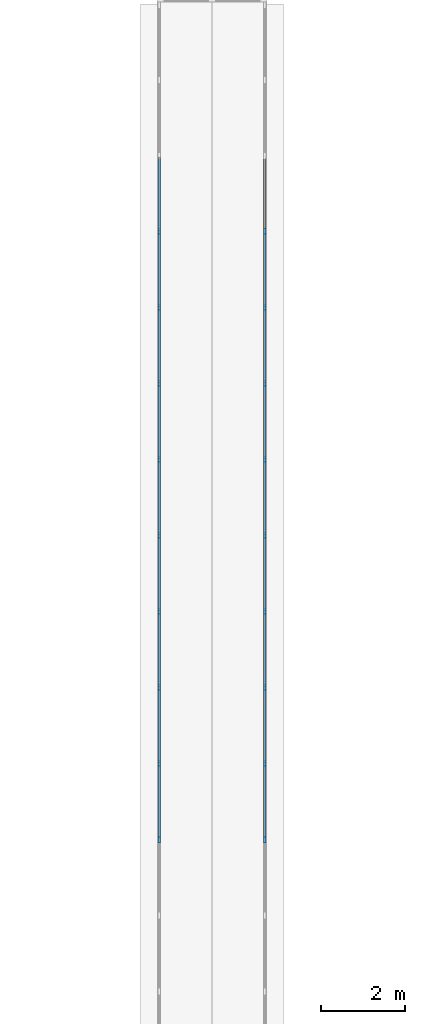
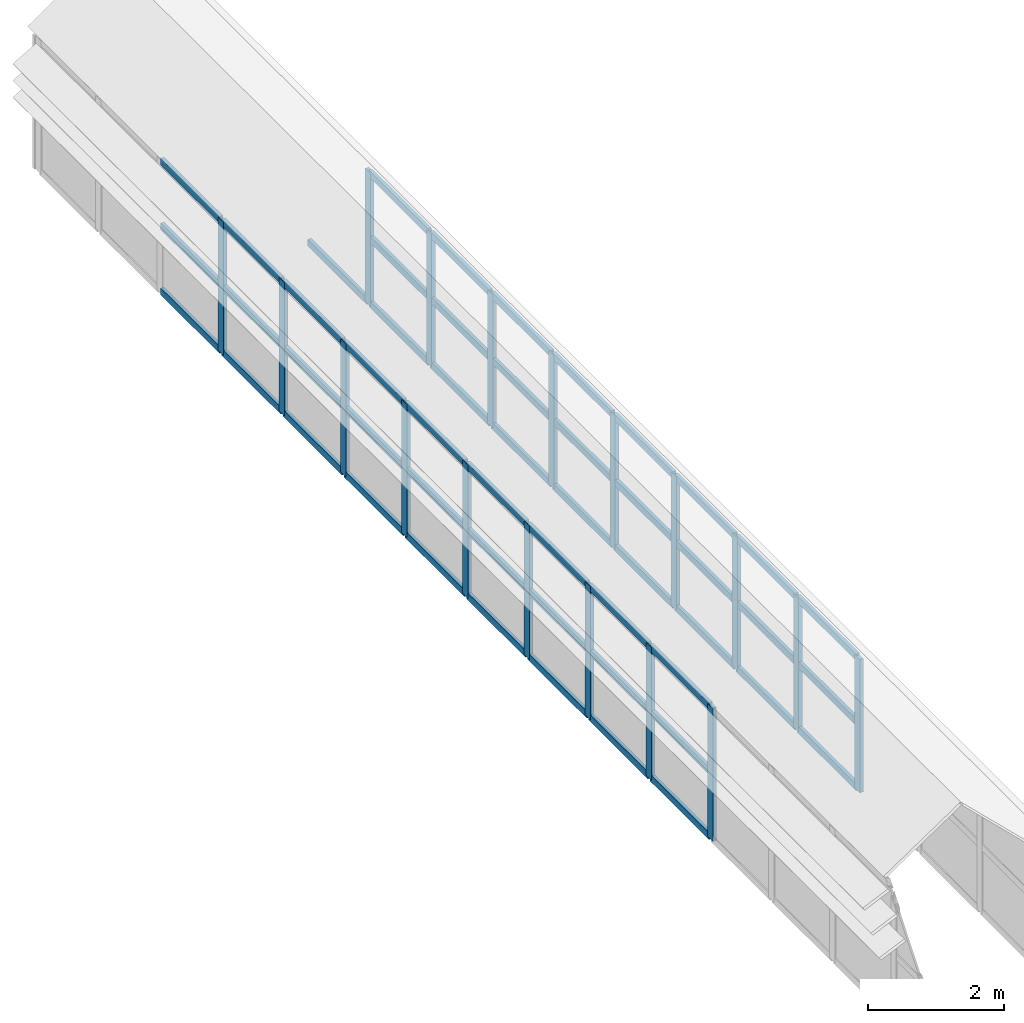
# One storey, part 7 of 28: 70 members, 2 elements without a shape of their own.
"""IFC4 building model written with IfcOpenShell, lengths in metres."""

from ifc_helpers import new_model, si_unit, direction, frame, origin, origin_2d, place, context, subcontext, project, spatial, rectangle, extrude, material, layer, layer_set, material_profile, profile_set, type_object, element, aggregate, save


model = new_model("IFC4")

# Units and contexts
model_context = context("Model", 3, precision=1e-05, world=origin(), true_north=direction((0.0, 1.0)))
body_context = subcontext(model_context, "Body", "Model", "MODEL_VIEW")
ifc_project = project(units=[si_unit("LENGTHUNIT", "METRE"), si_unit("AREAUNIT", "SQUARE_METRE"), si_unit("VOLUMEUNIT", "CUBIC_METRE"), si_unit("PLANEANGLEUNIT", "RADIAN"), si_unit("MASSUNIT", "GRAM", prefix="KILO")], contexts=[model_context])

# Site, building, storey
site_placement = place(None, origin())
site = spatial("IfcSite", under=ifc_project, at=site_placement, CompositionType="ELEMENT")
building_placement = place(site_placement, origin())
building = spatial("IfcBuilding", under=site, at=building_placement, Name="Mazhai Court Health Centre", CompositionType="ELEMENT")
storey_placement = place(building_placement, frame((0.0, 0.0, 18.0)))
storey = spatial("IfcBuildingStorey", under=building, at=storey_placement, Name="RF", CompositionType="ELEMENT", Elevation=18.0)

# Curtain wall, members
ifc_material_1 = material(Name="Teak timber frame, glazed", Category="wood")
ifc_layer = layer(ifc_material_1, 0.10009765625)
ifc_layer_set = layer_set([ifc_layer], Name="CURTAIN WALL TIMBER 1800")
curtain_wall_type = type_object("IfcCurtainWallType", Name="CURTAIN WALL TIMBER 1800", PredefinedType="NOTDEFINED", material=ifc_layer_set)
curtain_wall_1_placement = place(storey_placement, origin())
curtain_wall_1 = element("IfcCurtainWall", 1, at=curtain_wall_1_placement, inside=storey, type_object=curtain_wall_type, Name="CW-V1-LSW", PredefinedType="NOTDEFINED")
ifc_material_2 = material(Name="Teak timber", Category="wood")
ifc_material_profile_1 = material_profile(ifc_material_2, rectangle(XDim=0.06005859375, YDim=0.159912109375, at=origin_2d()), Name="CW MULLION 60x160")
ifc_profile_set_1 = profile_set([ifc_material_profile_1], Name="Teak timber")
member_type_1 = type_object("IfcMemberType", Name="CW MULLION 60x160", PredefinedType="MULLION", material=ifc_profile_set_1)
member_1_placement = place(storey_placement, frame((51.75, 38.39990234375, 0.783935546875), z_axis=(0.0, 0.0, 1.0), x_axis=(-1.0, 0.0, 0.0)))
member_1 = element("IfcMember", 2, at=member_1_placement, type_object=member_type_1, Name="CW mullion 16", PredefinedType="MULLION", context=body_context, shape_type="SweptSolid", body=[
    extrude(rectangle(XDim=0.06005859375, YDim=0.159912109375, at=origin_2d()), origin(), (0.0, 0.0, 1.0), 2.39501953125),
])
member_2_placement = place(storey_placement, frame((51.75, 40.199951171875, 0.783935546875), z_axis=(0.0, 0.0, 1.0), x_axis=(-1.0, 0.0, 0.0)))
member_2 = element("IfcMember", 3, at=member_2_placement, type_object=member_type_1, Name="CW mullion 17", PredefinedType="MULLION", context=body_context, shape_type="SweptSolid", body=[
    extrude(rectangle(XDim=0.06005859375, YDim=0.159912109375, at=origin_2d()), origin(), (0.0, 0.0, 1.0), 2.39501953125),
])
member_3_placement = place(storey_placement, frame((51.75, 42.0, 0.783935546875), z_axis=(0.0, 0.0, 1.0), x_axis=(-1.0, 0.0, 0.0)))
member_3 = element("IfcMember", 4, at=member_3_placement, type_object=member_type_1, Name="CW mullion 18", PredefinedType="MULLION", context=body_context, shape_type="SweptSolid", body=[
    extrude(rectangle(XDim=0.06005859375, YDim=0.159912109375, at=origin_2d()), origin(), (0.0, 0.0, 1.0), 2.39501953125),
])
member_4_placement = place(storey_placement, frame((51.75, 43.800048828125, 0.783935546875), z_axis=(0.0, 0.0, 1.0), x_axis=(-1.0, 0.0, 0.0)))
member_4 = element("IfcMember", 5, at=member_4_placement, type_object=member_type_1, Name="CW mullion 19", PredefinedType="MULLION", context=body_context, shape_type="SweptSolid", body=[
    extrude(rectangle(XDim=0.06005859375, YDim=0.159912109375, at=origin_2d()), origin(), (0.0, 0.0, 1.0), 2.39501953125),
])
member_5_placement = place(storey_placement, frame((51.75, 45.60009765625, 0.783935546875), z_axis=(0.0, 0.0, 1.0), x_axis=(-1.0, 0.0, 0.0)))
member_5 = element("IfcMember", 6, at=member_5_placement, type_object=member_type_1, Name="CW mullion 20", PredefinedType="MULLION", context=body_context, shape_type="SweptSolid", body=[
    extrude(rectangle(XDim=0.06005859375, YDim=0.159912109375, at=origin_2d()), origin(), (0.0, 0.0, 1.0), 2.39501953125),
])
member_6_placement = place(storey_placement, frame((51.75, 47.39990234375, 0.783935546875), z_axis=(0.0, 0.0, 1.0), x_axis=(-1.0, 0.0, 0.0)))
member_6 = element("IfcMember", 7, at=member_6_placement, type_object=member_type_1, Name="CW mullion 21", PredefinedType="MULLION", context=body_context, shape_type="SweptSolid", body=[
    extrude(rectangle(XDim=0.06005859375, YDim=0.159912109375, at=origin_2d()), origin(), (0.0, 0.0, 1.0), 2.39501953125),
])
member_7_placement = place(storey_placement, frame((51.75, 49.199951171875, 0.783935546875), z_axis=(0.0, 0.0, 1.0), x_axis=(-1.0, 0.0, 0.0)))
member_7 = element("IfcMember", 8, at=member_7_placement, type_object=member_type_1, Name="CW mullion 22", PredefinedType="MULLION", context=body_context, shape_type="SweptSolid", body=[
    extrude(rectangle(XDim=0.06005859375, YDim=0.159912109375, at=origin_2d()), origin(), (0.0, 0.0, 1.0), 2.39501953125),
])
member_8_placement = place(storey_placement, frame((51.75, 51.0, 0.783935546875), z_axis=(0.0, 0.0, 1.0), x_axis=(-1.0, 0.0, 0.0)))
member_8 = element("IfcMember", 9, at=member_8_placement, type_object=member_type_1, Name="CW mullion 23", PredefinedType="MULLION", context=body_context, shape_type="SweptSolid", body=[
    extrude(rectangle(XDim=0.06005859375, YDim=0.159912109375, at=origin_2d()), origin(), (0.0, 0.0, 1.0), 2.39501953125),
])
member_9_placement = place(storey_placement, frame((51.75, 52.800048828125, 0.783935546875), z_axis=(0.0, 0.0, 1.0), x_axis=(-1.0, 0.0, 0.0)))
member_9 = element("IfcMember", 10, at=member_9_placement, type_object=member_type_1, Name="CW mullion 24", PredefinedType="MULLION", context=body_context, shape_type="SweptSolid", body=[
    extrude(rectangle(XDim=0.06005859375, YDim=0.159912109375, at=origin_2d()), origin(), (0.0, 0.0, 1.0), 2.39501953125),
])

curtain_wall_2_placement = place(storey_placement, origin())
curtain_wall_2 = element("IfcCurtainWall", 11, at=curtain_wall_2_placement, inside=storey, type_object=curtain_wall_type, Name="CW-V1-LSE", PredefinedType="NOTDEFINED")
member_10_placement = place(storey_placement, frame((54.25, 52.800048828125, 0.783935546875), z_axis=(0.0, 0.0, 1.0), x_axis=(1.0, 0.0, 0.0)))
member_10 = element("IfcMember", 12, at=member_10_placement, type_object=member_type_1, Name="CW mullion 4", PredefinedType="MULLION", context=body_context, shape_type="SweptSolid", body=[
    extrude(rectangle(XDim=0.06005859375, YDim=0.159912109375, at=origin_2d()), origin(), (0.0, 0.0, 1.0), 2.39501953125),
])
member_11_placement = place(storey_placement, frame((54.25, 51.0, 0.783935546875), z_axis=(0.0, 0.0, 1.0), x_axis=(1.0, 0.0, 0.0)))
member_11 = element("IfcMember", 13, at=member_11_placement, type_object=member_type_1, Name="CW mullion 5", PredefinedType="MULLION", context=body_context, shape_type="SweptSolid", body=[
    extrude(rectangle(XDim=0.06005859375, YDim=0.159912109375, at=origin_2d()), origin(), (0.0, 0.0, 1.0), 2.39501953125),
])
member_12_placement = place(storey_placement, frame((54.25, 49.199951171875, 0.783935546875), z_axis=(0.0, 0.0, 1.0), x_axis=(1.0, 0.0, 0.0)))
member_12 = element("IfcMember", 14, at=member_12_placement, type_object=member_type_1, Name="CW mullion 6", PredefinedType="MULLION", context=body_context, shape_type="SweptSolid", body=[
    extrude(rectangle(XDim=0.06005859375, YDim=0.159912109375, at=origin_2d()), origin(), (0.0, 0.0, 1.0), 2.39501953125),
])
member_13_placement = place(storey_placement, frame((54.25, 47.39990234375, 0.783935546875), z_axis=(0.0, 0.0, 1.0), x_axis=(1.0, 0.0, 0.0)))
member_13 = element("IfcMember", 15, at=member_13_placement, type_object=member_type_1, Name="CW mullion 7", PredefinedType="MULLION", context=body_context, shape_type="SweptSolid", body=[
    extrude(rectangle(XDim=0.06005859375, YDim=0.159912109375, at=origin_2d()), origin(), (0.0, 0.0, 1.0), 2.39501953125),
])
member_14_placement = place(storey_placement, frame((54.25, 45.60009765625, 0.783935546875), z_axis=(0.0, 0.0, 1.0), x_axis=(1.0, 0.0, 0.0)))
member_14 = element("IfcMember", 16, at=member_14_placement, type_object=member_type_1, Name="CW mullion 8", PredefinedType="MULLION", context=body_context, shape_type="SweptSolid", body=[
    extrude(rectangle(XDim=0.06005859375, YDim=0.159912109375, at=origin_2d()), origin(), (0.0, 0.0, 1.0), 2.39501953125),
])
member_15_placement = place(storey_placement, frame((54.25, 43.800048828125, 0.783935546875), z_axis=(0.0, 0.0, 1.0), x_axis=(1.0, 0.0, 0.0)))
member_15 = element("IfcMember", 17, at=member_15_placement, type_object=member_type_1, Name="CW mullion 9", PredefinedType="MULLION", context=body_context, shape_type="SweptSolid", body=[
    extrude(rectangle(XDim=0.06005859375, YDim=0.159912109375, at=origin_2d()), origin(), (0.0, 0.0, 1.0), 2.39501953125),
])
member_16_placement = place(storey_placement, frame((54.25, 42.0, 0.783935546875), z_axis=(0.0, 0.0, 1.0), x_axis=(1.0, 0.0, 0.0)))
member_16 = element("IfcMember", 18, at=member_16_placement, type_object=member_type_1, Name="CW mullion 10", PredefinedType="MULLION", context=body_context, shape_type="SweptSolid", body=[
    extrude(rectangle(XDim=0.06005859375, YDim=0.159912109375, at=origin_2d()), origin(), (0.0, 0.0, 1.0), 2.39501953125),
])
member_17_placement = place(storey_placement, frame((54.25, 40.199951171875, 0.783935546875), z_axis=(0.0, 0.0, 1.0), x_axis=(1.0, 0.0, 0.0)))
member_17 = element("IfcMember", 19, at=member_17_placement, type_object=member_type_1, Name="CW mullion 11", PredefinedType="MULLION", context=body_context, shape_type="SweptSolid", body=[
    extrude(rectangle(XDim=0.06005859375, YDim=0.159912109375, at=origin_2d()), origin(), (0.0, 0.0, 1.0), 2.39501953125),
])
member_18_placement = place(storey_placement, frame((54.25, 38.39990234375, 0.783935546875), z_axis=(0.0, 0.0, 1.0), x_axis=(1.0, 0.0, 0.0)))
member_18 = element("IfcMember", 20, at=member_18_placement, type_object=member_type_1, Name="CW mullion 12", PredefinedType="MULLION", context=body_context, shape_type="SweptSolid", body=[
    extrude(rectangle(XDim=0.06005859375, YDim=0.159912109375, at=origin_2d()), origin(), (0.0, 0.0, 1.0), 2.39501953125),
])

# Member
ifc_material_3 = material(Name="Teak timber", Category="wood")
ifc_material_profile_2 = material_profile(ifc_material_3, rectangle(XDim=0.06005859375, YDim=0.1201171875, at=origin_2d()), Name="CW TRANSOM 60x120")
ifc_profile_set_2 = profile_set([ifc_material_profile_2], Name="Teak timber")
member_type_2 = type_object("IfcMemberType", Name="CW TRANSOM 60x120", PredefinedType="USERDEFINED", material=ifc_profile_set_2)
member_19_placement = place(storey_placement, frame((51.75, 38.429931640625, 0.81396484375), z_axis=(0.0, 1.0, 0.0), x_axis=(-1.0, 0.0, 0.0)))
member_19 = element("IfcMember", 21, at=member_19_placement, type_object=member_type_2, Name="CW transom 16.1", ObjectType="TRANSOM", PredefinedType="USERDEFINED", context=body_context, shape_type="SweptSolid", body=[
    extrude(rectangle(XDim=0.06005859375, YDim=0.1201171875, at=origin_2d()), origin(), (0.0, 0.0, 1.0), 1.739990234375),
])

member_20_placement = place(storey_placement, frame((51.75, 38.429931640625, 1.98388671875), z_axis=(0.0, 1.0, 0.0), x_axis=(-1.0, 0.0, 0.0)))
member_20 = element("IfcMember", 22, at=member_20_placement, type_object=member_type_2, Name="CW transom 16.2", ObjectType="TRANSOM", PredefinedType="USERDEFINED", context=body_context, shape_type="SweptSolid", body=[
    extrude(rectangle(XDim=0.06005859375, YDim=0.1201171875, at=origin_2d()), origin(), (0.0, 0.0, 1.0), 1.739990234375),
])

member_21_placement = place(storey_placement, frame((51.75, 38.429931640625, 3.14892578125), z_axis=(0.0, 1.0, 0.0), x_axis=(-1.0, 0.0, 0.0)))
member_21 = element("IfcMember", 23, at=member_21_placement, type_object=member_type_2, Name="CW transom 16.3", ObjectType="TRANSOM", PredefinedType="USERDEFINED", context=body_context, shape_type="SweptSolid", body=[
    extrude(rectangle(XDim=0.06005859375, YDim=0.1201171875, at=origin_2d()), origin(), (0.0, 0.0, 1.0), 1.739990234375),
])

member_22_placement = place(storey_placement, frame((51.75, 40.22998046875, 0.81396484375), z_axis=(0.0, 1.0, 0.0), x_axis=(-1.0, 0.0, 0.0)))
member_22 = element("IfcMember", 24, at=member_22_placement, type_object=member_type_2, Name="CW transom 17.1", ObjectType="TRANSOM", PredefinedType="USERDEFINED", context=body_context, shape_type="SweptSolid", body=[
    extrude(rectangle(XDim=0.06005859375, YDim=0.1201171875, at=origin_2d()), origin(), (0.0, 0.0, 1.0), 1.739990234375),
])

member_23_placement = place(storey_placement, frame((51.75, 40.22998046875, 1.98388671875), z_axis=(0.0, 1.0, 0.0), x_axis=(-1.0, 0.0, 0.0)))
member_23 = element("IfcMember", 25, at=member_23_placement, type_object=member_type_2, Name="CW transom 17.2", ObjectType="TRANSOM", PredefinedType="USERDEFINED", context=body_context, shape_type="SweptSolid", body=[
    extrude(rectangle(XDim=0.06005859375, YDim=0.1201171875, at=origin_2d()), origin(), (0.0, 0.0, 1.0), 1.739990234375),
])

member_24_placement = place(storey_placement, frame((51.75, 40.22998046875, 3.14892578125), z_axis=(0.0, 1.0, 0.0), x_axis=(-1.0, 0.0, 0.0)))
member_24 = element("IfcMember", 26, at=member_24_placement, type_object=member_type_2, Name="CW transom 17.3", ObjectType="TRANSOM", PredefinedType="USERDEFINED", context=body_context, shape_type="SweptSolid", body=[
    extrude(rectangle(XDim=0.06005859375, YDim=0.1201171875, at=origin_2d()), origin(), (0.0, 0.0, 1.0), 1.739990234375),
])

member_25_placement = place(storey_placement, frame((51.75, 42.030029296875, 0.81396484375), z_axis=(0.0, 1.0, 0.0), x_axis=(-1.0, 0.0, 0.0)))
member_25 = element("IfcMember", 27, at=member_25_placement, type_object=member_type_2, Name="CW transom 18.1", ObjectType="TRANSOM", PredefinedType="USERDEFINED", context=body_context, shape_type="SweptSolid", body=[
    extrude(rectangle(XDim=0.06005859375, YDim=0.1201171875, at=origin_2d()), origin(), (0.0, 0.0, 1.0), 1.739990234375),
])

member_26_placement = place(storey_placement, frame((51.75, 42.030029296875, 1.98388671875), z_axis=(0.0, 1.0, 0.0), x_axis=(-1.0, 0.0, 0.0)))
member_26 = element("IfcMember", 28, at=member_26_placement, type_object=member_type_2, Name="CW transom 18.2", ObjectType="TRANSOM", PredefinedType="USERDEFINED", context=body_context, shape_type="SweptSolid", body=[
    extrude(rectangle(XDim=0.06005859375, YDim=0.1201171875, at=origin_2d()), origin(), (0.0, 0.0, 1.0), 1.739990234375),
])

member_27_placement = place(storey_placement, frame((51.75, 42.030029296875, 3.14892578125), z_axis=(0.0, 1.0, 0.0), x_axis=(-1.0, 0.0, 0.0)))
member_27 = element("IfcMember", 29, at=member_27_placement, type_object=member_type_2, Name="CW transom 18.3", ObjectType="TRANSOM", PredefinedType="USERDEFINED", context=body_context, shape_type="SweptSolid", body=[
    extrude(rectangle(XDim=0.06005859375, YDim=0.1201171875, at=origin_2d()), origin(), (0.0, 0.0, 1.0), 1.739990234375),
])

member_28_placement = place(storey_placement, frame((51.75, 43.830078125, 0.81396484375), z_axis=(0.0, 1.0, 0.0), x_axis=(-1.0, 0.0, 0.0)))
member_28 = element("IfcMember", 30, at=member_28_placement, type_object=member_type_2, Name="CW transom 19.1", ObjectType="TRANSOM", PredefinedType="USERDEFINED", context=body_context, shape_type="SweptSolid", body=[
    extrude(rectangle(XDim=0.06005859375, YDim=0.1201171875, at=origin_2d()), origin(), (0.0, 0.0, 1.0), 1.739990234375),
])

member_29_placement = place(storey_placement, frame((51.75, 43.830078125, 1.98388671875), z_axis=(0.0, 1.0, 0.0), x_axis=(-1.0, 0.0, 0.0)))
member_29 = element("IfcMember", 31, at=member_29_placement, type_object=member_type_2, Name="CW transom 19.2", ObjectType="TRANSOM", PredefinedType="USERDEFINED", context=body_context, shape_type="SweptSolid", body=[
    extrude(rectangle(XDim=0.06005859375, YDim=0.1201171875, at=origin_2d()), origin(), (0.0, 0.0, 1.0), 1.739990234375),
])

member_30_placement = place(storey_placement, frame((51.75, 43.830078125, 3.14892578125), z_axis=(0.0, 1.0, 0.0), x_axis=(-1.0, 0.0, 0.0)))
member_30 = element("IfcMember", 32, at=member_30_placement, type_object=member_type_2, Name="CW transom 19.3", ObjectType="TRANSOM", PredefinedType="USERDEFINED", context=body_context, shape_type="SweptSolid", body=[
    extrude(rectangle(XDim=0.06005859375, YDim=0.1201171875, at=origin_2d()), origin(), (0.0, 0.0, 1.0), 1.739990234375),
])

member_31_placement = place(storey_placement, frame((51.75, 45.6298828125, 0.81396484375), z_axis=(0.0, 1.0, 0.0), x_axis=(-1.0, 0.0, 0.0)))
member_31 = element("IfcMember", 33, at=member_31_placement, type_object=member_type_2, Name="CW transom 20.1", ObjectType="TRANSOM", PredefinedType="USERDEFINED", context=body_context, shape_type="SweptSolid", body=[
    extrude(rectangle(XDim=0.06005859375, YDim=0.1201171875, at=origin_2d()), origin(), (0.0, 0.0, 1.0), 1.740234375),
])

member_32_placement = place(storey_placement, frame((51.75, 45.6298828125, 1.98388671875), z_axis=(0.0, 1.0, 0.0), x_axis=(-1.0, 0.0, 0.0)))
member_32 = element("IfcMember", 34, at=member_32_placement, type_object=member_type_2, Name="CW transom 20.2", ObjectType="TRANSOM", PredefinedType="USERDEFINED", context=body_context, shape_type="SweptSolid", body=[
    extrude(rectangle(XDim=0.06005859375, YDim=0.1201171875, at=origin_2d()), origin(), (0.0, 0.0, 1.0), 1.740234375),
])

member_33_placement = place(storey_placement, frame((51.75, 45.6298828125, 3.14892578125), z_axis=(0.0, 1.0, 0.0), x_axis=(-1.0, 0.0, 0.0)))
member_33 = element("IfcMember", 35, at=member_33_placement, type_object=member_type_2, Name="CW transom 20.3", ObjectType="TRANSOM", PredefinedType="USERDEFINED", context=body_context, shape_type="SweptSolid", body=[
    extrude(rectangle(XDim=0.06005859375, YDim=0.1201171875, at=origin_2d()), origin(), (0.0, 0.0, 1.0), 1.740234375),
])

member_34_placement = place(storey_placement, frame((51.75, 47.429931640625, 0.81396484375), z_axis=(0.0, 1.0, 0.0), x_axis=(-1.0, 0.0, 0.0)))
member_34 = element("IfcMember", 36, at=member_34_placement, type_object=member_type_2, Name="CW transom 21.1", ObjectType="TRANSOM", PredefinedType="USERDEFINED", context=body_context, shape_type="SweptSolid", body=[
    extrude(rectangle(XDim=0.06005859375, YDim=0.1201171875, at=origin_2d()), origin(), (0.0, 0.0, 1.0), 1.739990234375),
])

member_35_placement = place(storey_placement, frame((51.75, 47.429931640625, 1.98388671875), z_axis=(0.0, 1.0, 0.0), x_axis=(-1.0, 0.0, 0.0)))
member_35 = element("IfcMember", 37, at=member_35_placement, type_object=member_type_2, Name="CW transom 21.2", ObjectType="TRANSOM", PredefinedType="USERDEFINED", context=body_context, shape_type="SweptSolid", body=[
    extrude(rectangle(XDim=0.06005859375, YDim=0.1201171875, at=origin_2d()), origin(), (0.0, 0.0, 1.0), 1.739990234375),
])

member_36_placement = place(storey_placement, frame((51.75, 47.429931640625, 3.14892578125), z_axis=(0.0, 1.0, 0.0), x_axis=(-1.0, 0.0, 0.0)))
member_36 = element("IfcMember", 38, at=member_36_placement, type_object=member_type_2, Name="CW transom 21.3", ObjectType="TRANSOM", PredefinedType="USERDEFINED", context=body_context, shape_type="SweptSolid", body=[
    extrude(rectangle(XDim=0.06005859375, YDim=0.1201171875, at=origin_2d()), origin(), (0.0, 0.0, 1.0), 1.739990234375),
])

member_37_placement = place(storey_placement, frame((51.75, 49.22998046875, 0.81396484375), z_axis=(0.0, 1.0, 0.0), x_axis=(-1.0, 0.0, 0.0)))
member_37 = element("IfcMember", 39, at=member_37_placement, type_object=member_type_2, Name="CW transom 22.1", ObjectType="TRANSOM", PredefinedType="USERDEFINED", context=body_context, shape_type="SweptSolid", body=[
    extrude(rectangle(XDim=0.06005859375, YDim=0.1201171875, at=origin_2d()), origin(), (0.0, 0.0, 1.0), 1.739990234375),
])

member_38_placement = place(storey_placement, frame((51.75, 49.22998046875, 1.98388671875), z_axis=(0.0, 1.0, 0.0), x_axis=(-1.0, 0.0, 0.0)))
member_38 = element("IfcMember", 40, at=member_38_placement, type_object=member_type_2, Name="CW transom 22.2", ObjectType="TRANSOM", PredefinedType="USERDEFINED", context=body_context, shape_type="SweptSolid", body=[
    extrude(rectangle(XDim=0.06005859375, YDim=0.1201171875, at=origin_2d()), origin(), (0.0, 0.0, 1.0), 1.739990234375),
])

member_39_placement = place(storey_placement, frame((51.75, 49.22998046875, 3.14892578125), z_axis=(0.0, 1.0, 0.0), x_axis=(-1.0, 0.0, 0.0)))
member_39 = element("IfcMember", 41, at=member_39_placement, type_object=member_type_2, Name="CW transom 22.3", ObjectType="TRANSOM", PredefinedType="USERDEFINED", context=body_context, shape_type="SweptSolid", body=[
    extrude(rectangle(XDim=0.06005859375, YDim=0.1201171875, at=origin_2d()), origin(), (0.0, 0.0, 1.0), 1.739990234375),
])

member_40_placement = place(storey_placement, frame((51.75, 51.030029296875, 0.81396484375), z_axis=(0.0, 1.0, 0.0), x_axis=(-1.0, 0.0, 0.0)))
member_40 = element("IfcMember", 42, at=member_40_placement, type_object=member_type_2, Name="CW transom 23.1", ObjectType="TRANSOM", PredefinedType="USERDEFINED", context=body_context, shape_type="SweptSolid", body=[
    extrude(rectangle(XDim=0.06005859375, YDim=0.1201171875, at=origin_2d()), origin(), (0.0, 0.0, 1.0), 1.739990234375),
])

member_41_placement = place(storey_placement, frame((51.75, 51.030029296875, 1.98388671875), z_axis=(0.0, 1.0, 0.0), x_axis=(-1.0, 0.0, 0.0)))
member_41 = element("IfcMember", 43, at=member_41_placement, type_object=member_type_2, Name="CW transom 23.2", ObjectType="TRANSOM", PredefinedType="USERDEFINED", context=body_context, shape_type="SweptSolid", body=[
    extrude(rectangle(XDim=0.06005859375, YDim=0.1201171875, at=origin_2d()), origin(), (0.0, 0.0, 1.0), 1.739990234375),
])

member_42_placement = place(storey_placement, frame((51.75, 51.030029296875, 3.14892578125), z_axis=(0.0, 1.0, 0.0), x_axis=(-1.0, 0.0, 0.0)))
member_42 = element("IfcMember", 44, at=member_42_placement, type_object=member_type_2, Name="CW transom 23.3", ObjectType="TRANSOM", PredefinedType="USERDEFINED", context=body_context, shape_type="SweptSolid", body=[
    extrude(rectangle(XDim=0.06005859375, YDim=0.1201171875, at=origin_2d()), origin(), (0.0, 0.0, 1.0), 1.739990234375),
])

member_43_placement = place(storey_placement, frame((51.75, 52.830078125, 0.81396484375), z_axis=(0.0, 1.0, 0.0), x_axis=(-1.0, 0.0, 0.0)))
member_43 = element("IfcMember", 45, at=member_43_placement, type_object=member_type_2, Name="CW transom 24.1", ObjectType="TRANSOM", PredefinedType="USERDEFINED", context=body_context, shape_type="SweptSolid", body=[
    extrude(rectangle(XDim=0.06005859375, YDim=0.1201171875, at=origin_2d()), origin(), (0.0, 0.0, 1.0), 1.739990234375),
])

member_44_placement = place(storey_placement, frame((51.75, 52.830078125, 1.98388671875), z_axis=(0.0, 1.0, 0.0), x_axis=(-1.0, 0.0, 0.0)))
member_44 = element("IfcMember", 46, at=member_44_placement, type_object=member_type_2, Name="CW transom 24.2", ObjectType="TRANSOM", PredefinedType="USERDEFINED", context=body_context, shape_type="SweptSolid", body=[
    extrude(rectangle(XDim=0.06005859375, YDim=0.1201171875, at=origin_2d()), origin(), (0.0, 0.0, 1.0), 1.739990234375),
])

member_45_placement = place(storey_placement, frame((51.75, 52.830078125, 3.14892578125), z_axis=(0.0, 1.0, 0.0), x_axis=(-1.0, 0.0, 0.0)))
member_45 = element("IfcMember", 47, at=member_45_placement, type_object=member_type_2, Name="CW transom 24.3", ObjectType="TRANSOM", PredefinedType="USERDEFINED", context=body_context, shape_type="SweptSolid", body=[
    extrude(rectangle(XDim=0.06005859375, YDim=0.1201171875, at=origin_2d()), origin(), (0.0, 0.0, 1.0), 1.739990234375),
])

aggregate(curtain_wall_1, [member_1, member_2, member_3, member_4, member_5, member_6, member_7, member_8, member_9, member_19, member_20, member_21, member_22, member_23, member_24, member_25, member_26, member_27, member_28, member_29, member_30, member_31, member_32, member_33, member_34, member_35, member_36, member_37, member_38, member_39, member_40, member_41, member_42, member_43, member_44, member_45])

member_46_placement = place(storey_placement, frame((54.25, 54.570068359375, 0.81396484375), z_axis=(0.0, -1.0, 0.0), x_axis=(1.0, 0.0, 0.0)))
member_46 = element("IfcMember", 48, at=member_46_placement, type_object=member_type_2, Name="CW transom 3.1", ObjectType="TRANSOM", PredefinedType="USERDEFINED", context=body_context, shape_type="SweptSolid", body=[
    extrude(rectangle(XDim=0.06005859375, YDim=0.1201171875, at=origin_2d()), origin(), (0.0, 0.0, 1.0), 1.739990234375),
])

member_47_placement = place(storey_placement, frame((54.25, 52.77001953125, 0.81396484375), z_axis=(0.0, -1.0, 0.0), x_axis=(1.0, 0.0, 0.0)))
member_47 = element("IfcMember", 49, at=member_47_placement, type_object=member_type_2, Name="CW transom 4.1", ObjectType="TRANSOM", PredefinedType="USERDEFINED", context=body_context, shape_type="SweptSolid", body=[
    extrude(rectangle(XDim=0.06005859375, YDim=0.1201171875, at=origin_2d()), origin(), (0.0, 0.0, 1.0), 1.739990234375),
])

member_48_placement = place(storey_placement, frame((54.25, 52.77001953125, 1.98388671875), z_axis=(0.0, -1.0, 0.0), x_axis=(1.0, 0.0, 0.0)))
member_48 = element("IfcMember", 50, at=member_48_placement, type_object=member_type_2, Name="CW transom 4.2", ObjectType="TRANSOM", PredefinedType="USERDEFINED", context=body_context, shape_type="SweptSolid", body=[
    extrude(rectangle(XDim=0.06005859375, YDim=0.1201171875, at=origin_2d()), origin(), (0.0, 0.0, 1.0), 1.739990234375),
])

member_49_placement = place(storey_placement, frame((54.25, 52.77001953125, 3.14892578125), z_axis=(0.0, -1.0, 0.0), x_axis=(1.0, 0.0, 0.0)))
member_49 = element("IfcMember", 51, at=member_49_placement, type_object=member_type_2, Name="CW transom 4.3", ObjectType="TRANSOM", PredefinedType="USERDEFINED", context=body_context, shape_type="SweptSolid", body=[
    extrude(rectangle(XDim=0.06005859375, YDim=0.1201171875, at=origin_2d()), origin(), (0.0, 0.0, 1.0), 1.739990234375),
])

member_50_placement = place(storey_placement, frame((54.25, 50.969970703125, 0.81396484375), z_axis=(0.0, -1.0, 0.0), x_axis=(1.0, 0.0, 0.0)))
member_50 = element("IfcMember", 52, at=member_50_placement, type_object=member_type_2, Name="CW transom 5.1", ObjectType="TRANSOM", PredefinedType="USERDEFINED", context=body_context, shape_type="SweptSolid", body=[
    extrude(rectangle(XDim=0.06005859375, YDim=0.1201171875, at=origin_2d()), origin(), (0.0, 0.0, 1.0), 1.739990234375),
])

member_51_placement = place(storey_placement, frame((54.25, 50.969970703125, 1.98388671875), z_axis=(0.0, -1.0, 0.0), x_axis=(1.0, 0.0, 0.0)))
member_51 = element("IfcMember", 53, at=member_51_placement, type_object=member_type_2, Name="CW transom 5.2", ObjectType="TRANSOM", PredefinedType="USERDEFINED", context=body_context, shape_type="SweptSolid", body=[
    extrude(rectangle(XDim=0.06005859375, YDim=0.1201171875, at=origin_2d()), origin(), (0.0, 0.0, 1.0), 1.739990234375),
])

member_52_placement = place(storey_placement, frame((54.25, 50.969970703125, 3.14892578125), z_axis=(0.0, -1.0, 0.0), x_axis=(1.0, 0.0, 0.0)))
member_52 = element("IfcMember", 54, at=member_52_placement, type_object=member_type_2, Name="CW transom 5.3", ObjectType="TRANSOM", PredefinedType="USERDEFINED", context=body_context, shape_type="SweptSolid", body=[
    extrude(rectangle(XDim=0.06005859375, YDim=0.1201171875, at=origin_2d()), origin(), (0.0, 0.0, 1.0), 1.739990234375),
])

member_53_placement = place(storey_placement, frame((54.25, 49.169921875, 0.81396484375), z_axis=(0.0, -1.0, 0.0), x_axis=(1.0, 0.0, 0.0)))
member_53 = element("IfcMember", 55, at=member_53_placement, type_object=member_type_2, Name="CW transom 6.1", ObjectType="TRANSOM", PredefinedType="USERDEFINED", context=body_context, shape_type="SweptSolid", body=[
    extrude(rectangle(XDim=0.06005859375, YDim=0.1201171875, at=origin_2d()), origin(), (0.0, 0.0, 1.0), 1.739990234375),
])

member_54_placement = place(storey_placement, frame((54.25, 49.169921875, 1.98388671875), z_axis=(0.0, -1.0, 0.0), x_axis=(1.0, 0.0, 0.0)))
member_54 = element("IfcMember", 56, at=member_54_placement, type_object=member_type_2, Name="CW transom 6.2", ObjectType="TRANSOM", PredefinedType="USERDEFINED", context=body_context, shape_type="SweptSolid", body=[
    extrude(rectangle(XDim=0.06005859375, YDim=0.1201171875, at=origin_2d()), origin(), (0.0, 0.0, 1.0), 1.739990234375),
])

member_55_placement = place(storey_placement, frame((54.25, 49.169921875, 3.14892578125), z_axis=(0.0, -1.0, 0.0), x_axis=(1.0, 0.0, 0.0)))
member_55 = element("IfcMember", 57, at=member_55_placement, type_object=member_type_2, Name="CW transom 6.3", ObjectType="TRANSOM", PredefinedType="USERDEFINED", context=body_context, shape_type="SweptSolid", body=[
    extrude(rectangle(XDim=0.06005859375, YDim=0.1201171875, at=origin_2d()), origin(), (0.0, 0.0, 1.0), 1.739990234375),
])

member_56_placement = place(storey_placement, frame((54.25, 47.3701171875, 0.81396484375), z_axis=(0.0, -1.0, 0.0), x_axis=(1.0, 0.0, 0.0)))
member_56 = element("IfcMember", 58, at=member_56_placement, type_object=member_type_2, Name="CW transom 7.1", ObjectType="TRANSOM", PredefinedType="USERDEFINED", context=body_context, shape_type="SweptSolid", body=[
    extrude(rectangle(XDim=0.06005859375, YDim=0.1201171875, at=origin_2d()), origin(), (0.0, 0.0, 1.0), 1.740234375),
])

member_57_placement = place(storey_placement, frame((54.25, 47.3701171875, 1.98388671875), z_axis=(0.0, -1.0, 0.0), x_axis=(1.0, 0.0, 0.0)))
member_57 = element("IfcMember", 59, at=member_57_placement, type_object=member_type_2, Name="CW transom 7.2", ObjectType="TRANSOM", PredefinedType="USERDEFINED", context=body_context, shape_type="SweptSolid", body=[
    extrude(rectangle(XDim=0.06005859375, YDim=0.1201171875, at=origin_2d()), origin(), (0.0, 0.0, 1.0), 1.740234375),
])

member_58_placement = place(storey_placement, frame((54.25, 47.3701171875, 3.14892578125), z_axis=(0.0, -1.0, 0.0), x_axis=(1.0, 0.0, 0.0)))
member_58 = element("IfcMember", 60, at=member_58_placement, type_object=member_type_2, Name="CW transom 7.3", ObjectType="TRANSOM", PredefinedType="USERDEFINED", context=body_context, shape_type="SweptSolid", body=[
    extrude(rectangle(XDim=0.06005859375, YDim=0.1201171875, at=origin_2d()), origin(), (0.0, 0.0, 1.0), 1.740234375),
])

member_59_placement = place(storey_placement, frame((54.25, 45.570068359375, 0.81396484375), z_axis=(0.0, -1.0, 0.0), x_axis=(1.0, 0.0, 0.0)))
member_59 = element("IfcMember", 61, at=member_59_placement, type_object=member_type_2, Name="CW transom 8.1", ObjectType="TRANSOM", PredefinedType="USERDEFINED", context=body_context, shape_type="SweptSolid", body=[
    extrude(rectangle(XDim=0.06005859375, YDim=0.1201171875, at=origin_2d()), origin(), (0.0, 0.0, 1.0), 1.739990234375),
])

member_60_placement = place(storey_placement, frame((54.25, 45.570068359375, 1.98388671875), z_axis=(0.0, -1.0, 0.0), x_axis=(1.0, 0.0, 0.0)))
member_60 = element("IfcMember", 62, at=member_60_placement, type_object=member_type_2, Name="CW transom 8.2", ObjectType="TRANSOM", PredefinedType="USERDEFINED", context=body_context, shape_type="SweptSolid", body=[
    extrude(rectangle(XDim=0.06005859375, YDim=0.1201171875, at=origin_2d()), origin(), (0.0, 0.0, 1.0), 1.739990234375),
])

member_61_placement = place(storey_placement, frame((54.25, 45.570068359375, 3.14892578125), z_axis=(0.0, -1.0, 0.0), x_axis=(1.0, 0.0, 0.0)))
member_61 = element("IfcMember", 63, at=member_61_placement, type_object=member_type_2, Name="CW transom 8.3", ObjectType="TRANSOM", PredefinedType="USERDEFINED", context=body_context, shape_type="SweptSolid", body=[
    extrude(rectangle(XDim=0.06005859375, YDim=0.1201171875, at=origin_2d()), origin(), (0.0, 0.0, 1.0), 1.739990234375),
])

member_62_placement = place(storey_placement, frame((54.25, 43.77001953125, 0.81396484375), z_axis=(0.0, -1.0, 0.0), x_axis=(1.0, 0.0, 0.0)))
member_62 = element("IfcMember", 64, at=member_62_placement, type_object=member_type_2, Name="CW transom 9.1", ObjectType="TRANSOM", PredefinedType="USERDEFINED", context=body_context, shape_type="SweptSolid", body=[
    extrude(rectangle(XDim=0.06005859375, YDim=0.1201171875, at=origin_2d()), origin(), (0.0, 0.0, 1.0), 1.739990234375),
])

member_63_placement = place(storey_placement, frame((54.25, 43.77001953125, 1.98388671875), z_axis=(0.0, -1.0, 0.0), x_axis=(1.0, 0.0, 0.0)))
member_63 = element("IfcMember", 65, at=member_63_placement, type_object=member_type_2, Name="CW transom 9.2", ObjectType="TRANSOM", PredefinedType="USERDEFINED", context=body_context, shape_type="SweptSolid", body=[
    extrude(rectangle(XDim=0.06005859375, YDim=0.1201171875, at=origin_2d()), origin(), (0.0, 0.0, 1.0), 1.739990234375),
])

member_64_placement = place(storey_placement, frame((54.25, 43.77001953125, 3.14892578125), z_axis=(0.0, -1.0, 0.0), x_axis=(1.0, 0.0, 0.0)))
member_64 = element("IfcMember", 66, at=member_64_placement, type_object=member_type_2, Name="CW transom 9.3", ObjectType="TRANSOM", PredefinedType="USERDEFINED", context=body_context, shape_type="SweptSolid", body=[
    extrude(rectangle(XDim=0.06005859375, YDim=0.1201171875, at=origin_2d()), origin(), (0.0, 0.0, 1.0), 1.739990234375),
])

member_65_placement = place(storey_placement, frame((54.25, 41.969970703125, 0.81396484375), z_axis=(0.0, -1.0, 0.0), x_axis=(1.0, 0.0, 0.0)))
member_65 = element("IfcMember", 67, at=member_65_placement, type_object=member_type_2, Name="CW transom 10.1", ObjectType="TRANSOM", PredefinedType="USERDEFINED", context=body_context, shape_type="SweptSolid", body=[
    extrude(rectangle(XDim=0.06005859375, YDim=0.1201171875, at=origin_2d()), origin(), (0.0, 0.0, 1.0), 1.739990234375),
])

member_66_placement = place(storey_placement, frame((54.25, 41.969970703125, 1.98388671875), z_axis=(0.0, -1.0, 0.0), x_axis=(1.0, 0.0, 0.0)))
member_66 = element("IfcMember", 68, at=member_66_placement, type_object=member_type_2, Name="CW transom 10.2", ObjectType="TRANSOM", PredefinedType="USERDEFINED", context=body_context, shape_type="SweptSolid", body=[
    extrude(rectangle(XDim=0.06005859375, YDim=0.1201171875, at=origin_2d()), origin(), (0.0, 0.0, 1.0), 1.739990234375),
])

member_67_placement = place(storey_placement, frame((54.25, 41.969970703125, 3.14892578125), z_axis=(0.0, -1.0, 0.0), x_axis=(1.0, 0.0, 0.0)))
member_67 = element("IfcMember", 69, at=member_67_placement, type_object=member_type_2, Name="CW transom 10.3", ObjectType="TRANSOM", PredefinedType="USERDEFINED", context=body_context, shape_type="SweptSolid", body=[
    extrude(rectangle(XDim=0.06005859375, YDim=0.1201171875, at=origin_2d()), origin(), (0.0, 0.0, 1.0), 1.739990234375),
])

member_68_placement = place(storey_placement, frame((54.25, 40.169921875, 0.81396484375), z_axis=(0.0, -1.0, 0.0), x_axis=(1.0, 0.0, 0.0)))
member_68 = element("IfcMember", 70, at=member_68_placement, type_object=member_type_2, Name="CW transom 11.1", ObjectType="TRANSOM", PredefinedType="USERDEFINED", context=body_context, shape_type="SweptSolid", body=[
    extrude(rectangle(XDim=0.06005859375, YDim=0.1201171875, at=origin_2d()), origin(), (0.0, 0.0, 1.0), 1.739990234375),
])

member_69_placement = place(storey_placement, frame((54.25, 40.169921875, 1.98388671875), z_axis=(0.0, -1.0, 0.0), x_axis=(1.0, 0.0, 0.0)))
member_69 = element("IfcMember", 71, at=member_69_placement, type_object=member_type_2, Name="CW transom 11.2", ObjectType="TRANSOM", PredefinedType="USERDEFINED", context=body_context, shape_type="SweptSolid", body=[
    extrude(rectangle(XDim=0.06005859375, YDim=0.1201171875, at=origin_2d()), origin(), (0.0, 0.0, 1.0), 1.739990234375),
])

member_70_placement = place(storey_placement, frame((54.25, 40.169921875, 3.14892578125), z_axis=(0.0, -1.0, 0.0), x_axis=(1.0, 0.0, 0.0)))
member_70 = element("IfcMember", 72, at=member_70_placement, type_object=member_type_2, Name="CW transom 11.3", ObjectType="TRANSOM", PredefinedType="USERDEFINED", context=body_context, shape_type="SweptSolid", body=[
    extrude(rectangle(XDim=0.06005859375, YDim=0.1201171875, at=origin_2d()), origin(), (0.0, 0.0, 1.0), 1.739990234375),
])

aggregate(curtain_wall_2, [member_10, member_11, member_12, member_13, member_14, member_15, member_16, member_17, member_18, member_46, member_47, member_48, member_49, member_50, member_51, member_52, member_53, member_54, member_55, member_56, member_57, member_58, member_59, member_60, member_61, member_62, member_63, member_64, member_65, member_66, member_67, member_68, member_69, member_70])

save(model, "model.ifc")
